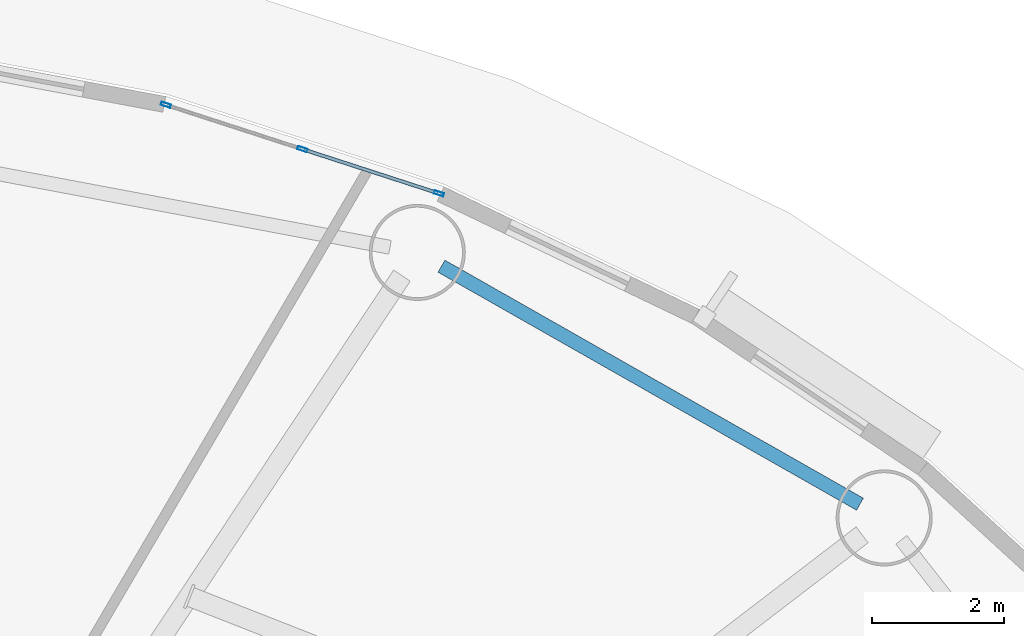
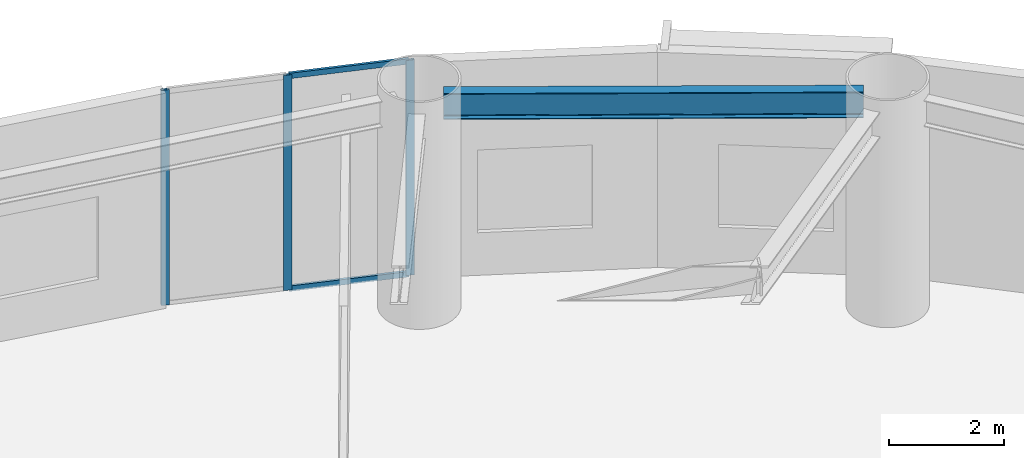
# One storey, part 5 of 19: 5 members, 1 beam, 1 element without a shape of its own.
"""IFC4 building model written with IfcOpenShell, lengths in metres."""

from ifc_helpers import new_model, si_unit, direction, frame, origin, origin_2d, place, context, subcontext, project, spatial, hollow_rectangle, i_section, extrude, source, transform, mapped, material, layer, layer_set, material_profile, profile_set, type_object, element, aggregate, save


model = new_model("IFC4")

# Units and contexts
model_context = context("Model", 3, precision=1e-05, world=origin(), true_north=direction((0.0, 1.0)))
body_context = subcontext(model_context, "Body", "Model", "MODEL_VIEW")
ifc_project = project(units=[si_unit("LENGTHUNIT", "METRE"), si_unit("AREAUNIT", "SQUARE_METRE"), si_unit("VOLUMEUNIT", "CUBIC_METRE"), si_unit("PLANEANGLEUNIT", "RADIAN"), si_unit("MASSUNIT", "GRAM", prefix="KILO")], contexts=[model_context])

# Site, building, storey
site_placement = place(None, origin())
site = spatial("IfcSite", under=ifc_project, at=site_placement, CompositionType="ELEMENT")
building_placement = place(site_placement, origin())
building = spatial("IfcBuilding", under=site, at=building_placement, Name="Linh Dai School and Residence Tower", CompositionType="ELEMENT")
storey_placement = place(building_placement, frame((0.0, 0.0, 92.39990234375)))
storey = spatial("IfcBuildingStorey", under=building, at=storey_placement, Name="L21", CompositionType="ELEMENT", Elevation=92.39990234375)

# Beam
ifc_material_1 = material(Name="Structural Steel S355JR", Category="steel")
ifc_material_profile_1 = material_profile(ifc_material_1, i_section(OverallWidth=0.2099609375, OverallDepth=0.550048828125, WebThickness=0.010986328125, FlangeThickness=0.01708984375, FilletRadius=0.02392578125, at=origin_2d()), Name="IPE 550")
ifc_profile_set_1 = profile_set([ifc_material_profile_1], Name="Structural Steel S355JR")
beam_type = type_object("IfcBeamType", Name="BM-RB55", PredefinedType="BEAM", material=ifc_profile_set_1)
beam_placement = place(storey_placement, frame((55.407470703125, 42.363037109375, 4.275146484375), z_axis=(-0.86927031475, 0.494337050902, 0.0), x_axis=(-0.494337050902, -0.86927031475, 0.0)))
element("IfcBeam", 1, at=beam_placement, inside=storey, type_object=beam_type, Name="L21 Perimeter Elliptical Ring Beam 03", PredefinedType="BEAM", context=body_context, shape_type="SweptSolid", body=[
    extrude(i_section(OverallWidth=0.2099609375, OverallDepth=0.550048828125, WebThickness=0.010986328125, FlangeThickness=0.01708984375, FilletRadius=0.02392578125, at=origin_2d()), origin(), (0.0, 0.0, 1.0), 7.270751953125),
])

# Curtain wall, members
ifc_material_2 = material(Name="Aluminium Anodised Curtain Wall", Category="aluminium")
ifc_layer = layer(ifc_material_2, 0.14990234375)
ifc_layer_set = layer_set([ifc_layer], Name="Aluminium Anodised Curtain Wall")
curtain_wall_type = type_object("IfcCurtainWallType", Name="CW-SYS-4", PredefinedType="USERDEFINED", material=ifc_layer_set)
curtain_wall_placement = place(storey_placement, origin())
curtain_wall = element("IfcCurtainWall", 2, at=curtain_wall_placement, inside=storey, type_object=curtain_wall_type, Name="L21 CW4 Curtain Wall 08", ObjectType="RIBBON CURTAIN WALL", PredefinedType="USERDEFINED")
ifc_material_3 = material(Name="Aluminium Alloy 6063-T6", Category="aluminium")
ifc_material_profile_2 = material_profile(ifc_material_3, hollow_rectangle(XDim=0.052001953125, YDim=0.14990234375, WallThickness=0.00390625, at=origin_2d()), Name="RHS 150x52x4")
ifc_profile_set_2 = profile_set([ifc_material_profile_2], Name="Aluminium Alloy 6063-T6")
member_type_1 = type_object("IfcMemberType", Name="CW-SYS-4-MUL", PredefinedType="MULLION", material=ifc_profile_set_2)
shared_shape_1 = source(origin(), body_context, "Body", "SweptSolid", [
    extrude(hollow_rectangle(XDim=0.052001953125, YDim=0.14990234375, WallThickness=0.00390625, at=origin_2d()), origin(), (0.0, 0.0, 1.0), 4.550048828125),
])
member_1_placement = place(storey_placement, frame((44.924560546875, 48.393310546875, 0.0), z_axis=(0.0, 0.0, 1.0), x_axis=(0.308522363457, 0.951217089442, 0.0)))
member_1 = element("IfcMember", 3, at=member_1_placement, type_object=member_type_1, Name="CW4 mullion 1", PredefinedType="MULLION", context=body_context, shape_type="MappedRepresentation", body=[
    mapped(shared_shape_1, transform((0.0, 0.0, 0.0), x_axis=(1.0, 0.0, 0.0), y_axis=(0.0, 1.0, 0.0), z_axis=(0.0, 0.0, 1.0), scale=1.0)),
])
member_2_placement = place(storey_placement, frame((46.98681640625, 47.724365234375, 0.0), z_axis=(0.0, 0.0, 1.0), x_axis=(0.308522363457, 0.951217089442, 0.0)))
member_2 = element("IfcMember", 4, at=member_2_placement, type_object=member_type_1, Name="CW4 mullion 2", PredefinedType="MULLION", context=body_context, shape_type="MappedRepresentation", body=[
    mapped(shared_shape_1, transform((0.0, 0.0, 0.0), x_axis=(1.0, 0.0, 0.0), y_axis=(0.0, 1.0, 0.0), z_axis=(0.0, 0.0, 1.0), scale=1.0)),
])
member_3_placement = place(storey_placement, frame((49.04931640625, 47.055419921875, 0.0), z_axis=(0.0, 0.0, 1.0), x_axis=(0.308522363457, 0.951217089442, 0.0)))
member_3 = element("IfcMember", 5, at=member_3_placement, type_object=member_type_1, Name="CW4 mullion 3", PredefinedType="MULLION", context=body_context, shape_type="MappedRepresentation", body=[
    mapped(shared_shape_1, transform((0.0, 0.0, 0.0), x_axis=(1.0, 0.0, 0.0), y_axis=(0.0, 1.0, 0.0), z_axis=(0.0, 0.0, 1.0), scale=1.0)),
])
ifc_material_profile_3 = material_profile(ifc_material_3, hollow_rectangle(XDim=0.052001953125, YDim=0.114990234375, WallThickness=0.00390625, at=origin_2d()), Name="RHS 115x52x4")
ifc_profile_set_3 = profile_set([ifc_material_profile_3], Name="Aluminium Alloy 6063-T6")
member_type_2 = type_object("IfcMemberType", Name="CW-SYS-4-TRN", PredefinedType="USERDEFINED", material=ifc_profile_set_3)
shared_shape_2 = source(origin(), body_context, "Body", "SweptSolid", [
    extrude(hollow_rectangle(XDim=0.052001953125, YDim=0.114990234375, WallThickness=0.00390625, at=origin_2d()), origin(), (0.0, 0.0, 1.0), 2.1162109375),
])
member_4_placement = place(storey_placement, frame((47.01171875, 47.71630859375, 0.026123046875), z_axis=(0.95122464899, -0.308499055355, 0.0), x_axis=(0.308499055355, 0.95122464899, 0.0)))
member_4 = element("IfcMember", 6, at=member_4_placement, type_object=member_type_2, Name="CW4 transom 2.1", ObjectType="TRANSOM", PredefinedType="USERDEFINED", context=body_context, shape_type="MappedRepresentation", body=[
    mapped(shared_shape_2, transform((0.0, 0.0, 0.0), x_axis=(1.0, 0.0, 0.0), y_axis=(0.0, 1.0, 0.0), z_axis=(0.0, 0.0, 1.0), scale=1.0)),
])
member_5_placement = place(storey_placement, frame((47.01171875, 47.71630859375, 4.524169921875), z_axis=(0.95122464899, -0.308499055355, 0.0), x_axis=(0.308499055355, 0.95122464899, 0.0)))
member_5 = element("IfcMember", 7, at=member_5_placement, type_object=member_type_2, Name="CW4 transom 2.2", ObjectType="TRANSOM", PredefinedType="USERDEFINED", context=body_context, shape_type="MappedRepresentation", body=[
    mapped(shared_shape_2, transform((0.0, 0.0, 0.0), x_axis=(1.0, 0.0, 0.0), y_axis=(0.0, 1.0, 0.0), z_axis=(0.0, 0.0, 1.0), scale=1.0)),
])
aggregate(curtain_wall, [member_1, member_2, member_3, member_4, member_5])

save(model, "model.ifc")
